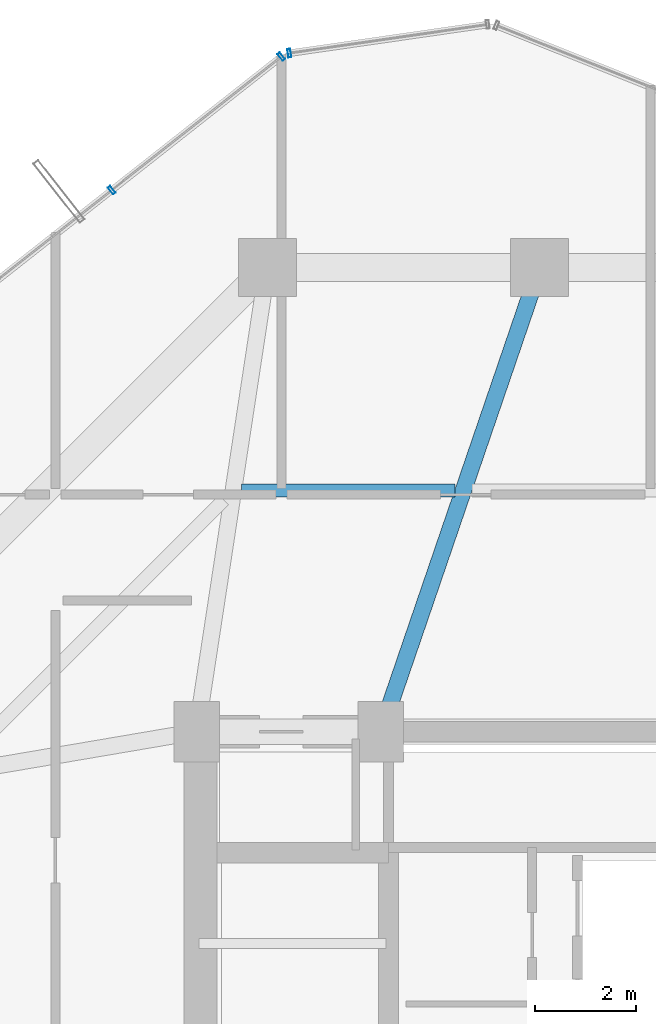
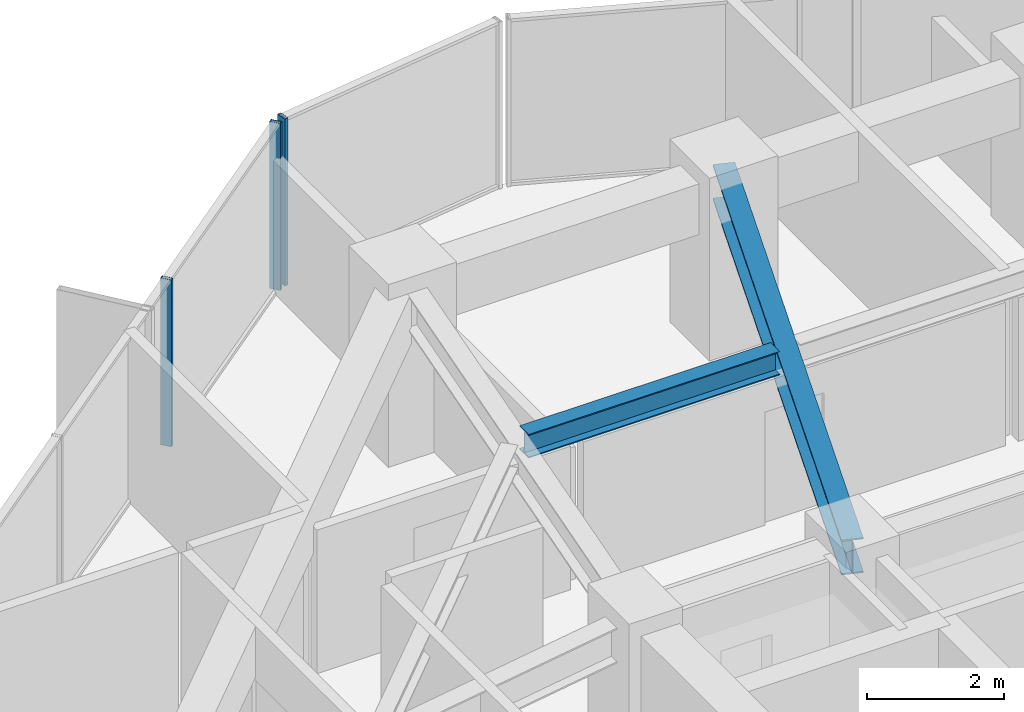
# One storey, part 22 of 34: 3 members, 2 beams, 2 elements without a shape of their own.
"""IFC4 building model written with IfcOpenShell, lengths in metres."""

from ifc_helpers import new_model, si_unit, direction, frame, origin, origin_2d, place, context, subcontext, project, spatial, hollow_rectangle, i_section, extrude, source, transform, mapped, material, layer, layer_set, material_profile, profile_set, type_object, element, aggregate, save


model = new_model("IFC4")

# Units and contexts
model_context = context("Model", 3, precision=1e-05, world=origin(), true_north=direction((0.0, 1.0)))
body_context = subcontext(model_context, "Body", "Model", "MODEL_VIEW")
ifc_project = project(units=[si_unit("LENGTHUNIT", "METRE"), si_unit("AREAUNIT", "SQUARE_METRE"), si_unit("VOLUMEUNIT", "CUBIC_METRE"), si_unit("PLANEANGLEUNIT", "RADIAN"), si_unit("MASSUNIT", "GRAM", prefix="KILO")], contexts=[model_context])

# Site, building, storey
site_placement = place(None, origin())
site = spatial("IfcSite", under=ifc_project, at=site_placement, CompositionType="ELEMENT")
building_placement = place(site_placement, origin())
building = spatial("IfcBuilding", under=site, at=building_placement, Name="Veraguas Prism Commons", CompositionType="ELEMENT")
storey_placement = place(building_placement, frame((0.0, 0.0, 155.5)))
storey = spatial("IfcBuildingStorey", under=building, at=storey_placement, Name="L44", CompositionType="ELEMENT", Elevation=155.5)

# Beams
ifc_material_1 = material(Name="Steel ASTM A992 Grade 50", Category="steel")
ifc_material_profile_1 = material_profile(ifc_material_1, i_section(OverallWidth=0.260986328125, OverallDepth=0.419921875, WebThickness=0.01171875, FlangeThickness=0.019287109375, at=origin_2d()), Name="W410X114")
ifc_profile_set_1 = profile_set([ifc_material_profile_1], Name="Steel ASTM A992 Grade 50")
beam_type_1 = type_object("IfcBeamType", Name="Lower Floor Joist W410x114", PredefinedType="JOIST", material=ifc_profile_set_1)
beam_1_placement = place(storey_placement, frame((22.31689453125, 35.783935546875, 2.760009765625), z_axis=(-1.0, 0.0, 0.0), x_axis=(0.0, -1.0, 0.0)))
element("IfcBeam", 1, at=beam_1_placement, inside=storey, type_object=beam_type_1, Name="Composite Floor Joist L44-JS05", PredefinedType="JOIST", context=body_context, shape_type="SweptSolid", body=[
    extrude(i_section(OverallWidth=0.260986328125, OverallDepth=0.419921875, WebThickness=0.01171875, FlangeThickness=0.019287109375, at=origin_2d()), origin(), (0.0, 0.0, 1.0), 4.22509765625),
])
ifc_material_profile_2 = material_profile(ifc_material_1, i_section(OverallWidth=0.327880859375, OverallDepth=0.6220703125, WebThickness=0.015380859375, FlangeThickness=0.0244140625, at=origin_2d()), Name="W610X195")
ifc_profile_set_2 = profile_set([ifc_material_profile_2], Name="Steel ASTM A992 Grade 50")
beam_type_2 = type_object("IfcBeamType", Name="Zone 2 Radial Girder W610x195", PredefinedType="BEAM", material=ifc_profile_set_2)
beam_2_placement = place(storey_placement, frame((24.0, 40.199951171875, 2.658935546875), z_axis=(-0.323922482989, -0.946083624747, 0.0), x_axis=(0.946083624747, -0.323922482989, 0.0)))
element("IfcBeam", 2, at=beam_2_placement, inside=storey, type_object=beam_type_2, Name="Radial Floor Girder L44-RD05", PredefinedType="BEAM", context=body_context, shape_type="SweptSolid", body=[
    extrude(i_section(OverallWidth=0.327880859375, OverallDepth=0.6220703125, WebThickness=0.015380859375, FlangeThickness=0.0244140625, at=origin_2d()), origin(), (0.0, 0.0, 1.0), 9.724365234375),
])

# Curtain wall, members
ifc_material_2 = material(Name="Anodised aluminium EN AW-6063 T6", Category="aluminium")
ifc_layer = layer(ifc_material_2, 0.169921875, Name="Unitised Flush Curtain Wall Zone 2", Category="aluminium")
ifc_layer_set = layer_set([ifc_layer], Name="Anodised aluminium EN AW-6063 T6")
curtain_wall_type = type_object("IfcCurtainWallType", Name="Unitised Flush Curtain Wall Zone 2", PredefinedType="NOTDEFINED", material=ifc_layer_set)
curtain_wall_1_placement = place(storey_placement, origin())
curtain_wall_1 = element("IfcCurtainWall", 3, at=curtain_wall_1_placement, inside=storey, type_object=curtain_wall_type, Name="Tower Facade Curtain Wall L44-F2", PredefinedType="NOTDEFINED")
ifc_material_profile_3 = material_profile(ifc_material_2, hollow_rectangle(XDim=0.06005859375, YDim=0.169921875, WallThickness=0.00390625, at=origin_2d()), Name="AL60X170X4")
ifc_profile_set_3 = profile_set([ifc_material_profile_3], Name="Anodised aluminium EN AW-6063 T6")
member_type = type_object("IfcMemberType", Name="Curtain Wall Mullion Lower AL 60x170x4", PredefinedType="MULLION", material=ifc_profile_set_3)
shared_shape = source(origin(), body_context, "Body", "SweptSolid", [
    extrude(hollow_rectangle(XDim=0.06005859375, YDim=0.169921875, WallThickness=0.00390625, at=origin_2d()), origin(), (0.0, 0.0, 1.0), 2.969970703125),
])
member_1_placement = place(storey_placement, frame((18.878662109375, 44.38330078125, 0.0), z_axis=(0.0, 0.0, 1.0), x_axis=(-0.785639900244, -0.618684044682, 0.0)))
member_1 = element("IfcMember", 4, at=member_1_placement, type_object=member_type, Name="CW-Z2 Mullion 1", PredefinedType="MULLION", context=body_context, shape_type="MappedRepresentation", body=[
    mapped(shared_shape, transform((0.0, 0.0, 0.0), scale=1.0)),
])
member_2_placement = place(storey_placement, frame((15.51708984375, 41.736328125, 0.0), z_axis=(0.0, 0.0, 1.0), x_axis=(-0.785639900244, -0.618684044682, 0.0)))
member_2 = element("IfcMember", 5, at=member_2_placement, type_object=member_type, Name="CW-Z2 Mullion 2", PredefinedType="MULLION", context=body_context, shape_type="MappedRepresentation", body=[
    mapped(shared_shape, transform((0.0, 0.0, 0.0), scale=1.0)),
])
aggregate(curtain_wall_1, [member_1, member_2])

# Curtain wall, member
curtain_wall_2_placement = place(storey_placement, origin())
curtain_wall_2 = element("IfcCurtainWall", 6, at=curtain_wall_2_placement, inside=storey, type_object=curtain_wall_type, Name="Chamfer Curtain Wall L44-C2", PredefinedType="NOTDEFINED")
member_3_placement = place(storey_placement, frame((19.038330078125, 44.451904296875, 0.0), z_axis=(0.0, 0.0, 1.0), x_axis=(-0.989731124385, -0.142941601442, 0.0)))
member_3 = element("IfcMember", 7, at=member_3_placement, type_object=member_type, Name="CW-Z2 Mullion 2", PredefinedType="MULLION", context=body_context, shape_type="MappedRepresentation", body=[
    mapped(shared_shape, transform((0.0, 0.0, 0.0), scale=1.0)),
])
aggregate(curtain_wall_2, [member_3])

save(model, "model.ifc")
